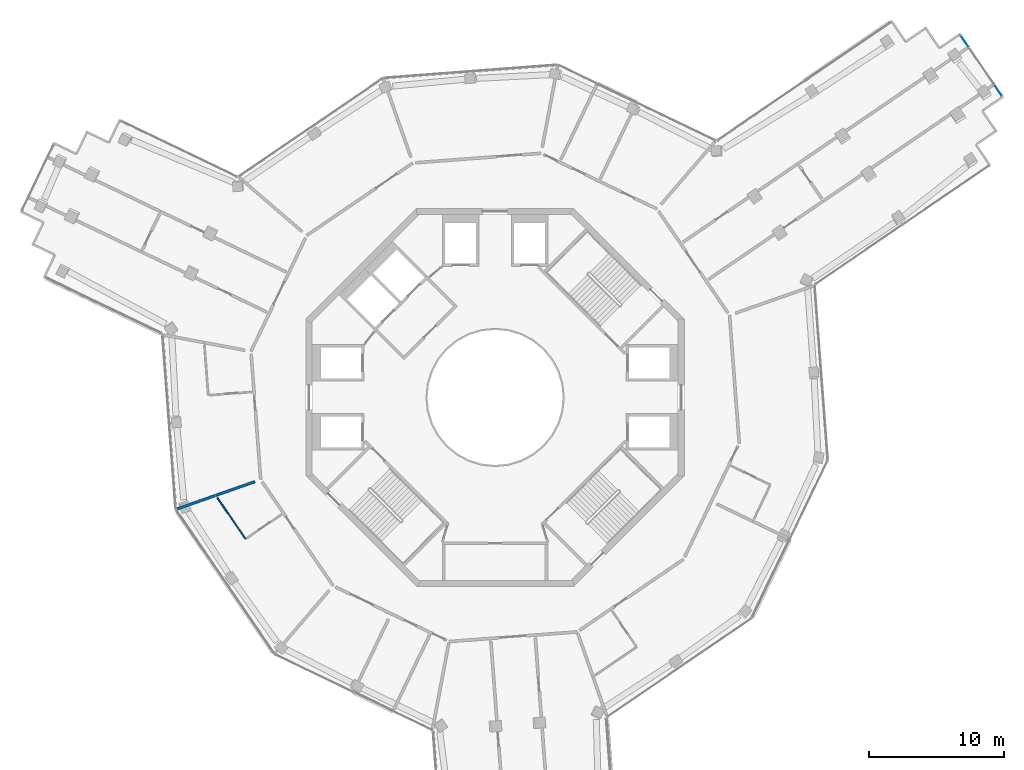
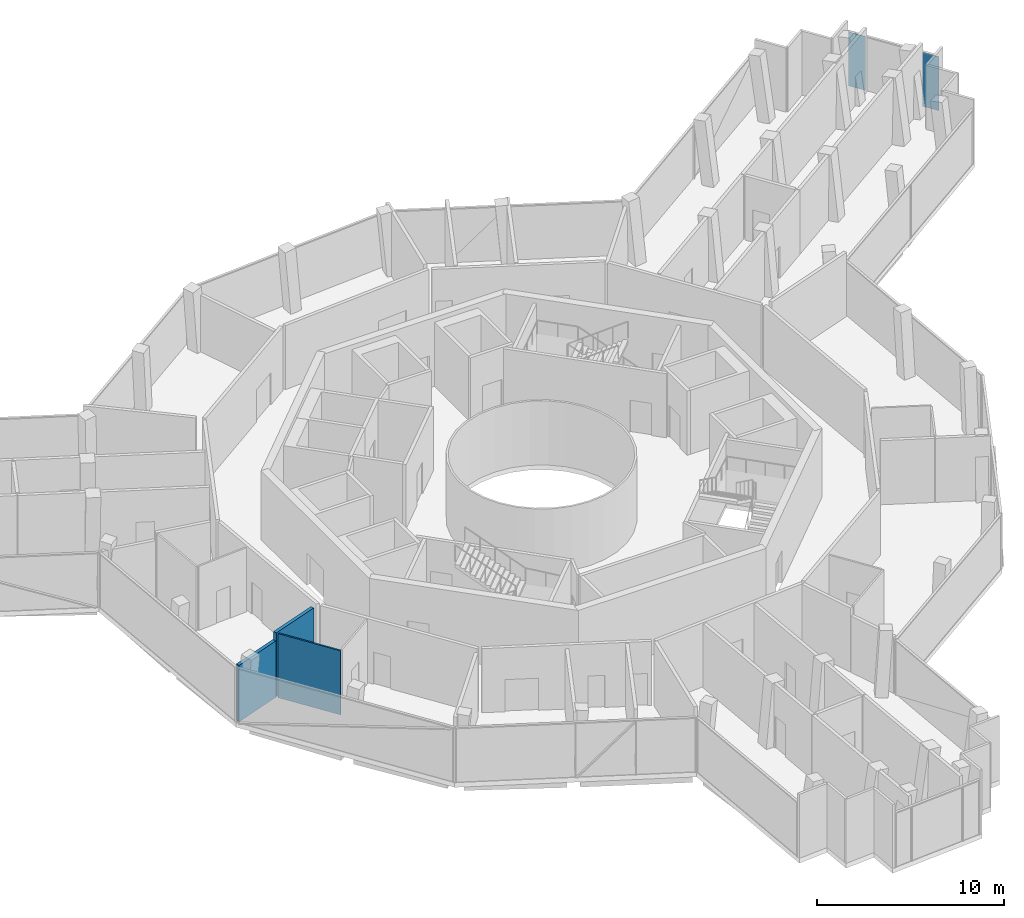
# One storey, part 12 of 19: 3 walls, 2 plates, 1 element without a shape of its own.
"""IFC4 building model written with IfcOpenShell, lengths in metres."""

from ifc_helpers import new_model, si_unit, direction, frame, frame_2d, origin, origin_2d, place, context, subcontext, project, spatial, rectangle, extrude, material, layer, layer_set, type_object, element, aggregate, save


model = new_model("IFC4")

# Units and contexts
model_context = context("Model", 3, precision=1e-05, world=origin(), true_north=direction((0.0, 1.0)))
body_context = subcontext(model_context, "Body", "Model", "MODEL_VIEW")
ifc_project = project(units=[si_unit("LENGTHUNIT", "METRE"), si_unit("AREAUNIT", "SQUARE_METRE"), si_unit("VOLUMEUNIT", "CUBIC_METRE"), si_unit("PLANEANGLEUNIT", "RADIAN"), si_unit("MASSUNIT", "GRAM", prefix="KILO")], contexts=[model_context])

# Site, building, storey
site_placement = place(None, origin())
site = spatial("IfcSite", under=ifc_project, at=site_placement, CompositionType="ELEMENT")
building_placement = place(site_placement, origin())
building = spatial("IfcBuilding", under=site, at=building_placement, Name="Verdalira Terraces Hotel", CompositionType="ELEMENT")
storey_placement = place(building_placement, frame((0.0, 0.0, 295.0)))
storey = spatial("IfcBuildingStorey", under=building, at=storey_placement, Name="L73", CompositionType="ELEMENT", Elevation=295.0)

# Curtain wall, plates
ifc_material_1 = material(Name="Clear glass", Category="glass")
ifc_layer_1 = layer(ifc_material_1, 0.179931640625)
ifc_layer_set_1 = layer_set([ifc_layer_1], Name="CW4 curtain wall")
curtain_wall_type = type_object("IfcCurtainWallType", Name="CW4 curtain wall", PredefinedType="NOTDEFINED", material=ifc_layer_set_1)
curtain_wall_placement = place(storey_placement, origin())
curtain_wall = element("IfcCurtainWall", 1, at=curtain_wall_placement, inside=storey, type_object=curtain_wall_type, Name="CW4 curtain wall L73 edge 33", PredefinedType="NOTDEFINED")
ifc_material_2 = material(Name="Clear glass", Category="glass")
ifc_layer_2 = layer(ifc_material_2, 0.035888671875)
ifc_layer_set_2 = layer_set([ifc_layer_2], Name="CW4 glass unit 36")
plate_type = type_object("IfcPlateType", Name="CW4 glass unit 36", PredefinedType="CURTAIN_PANEL", material=ifc_layer_set_2)
plate_1_placement = place(storey_placement, frame((37.216309, 22.738525, 0.0), z_axis=(0.0, 0.0, 1.0), x_axis=(-0.563814377, 0.825901536, 0.0)))
plate_1 = element("IfcPlate", 2, at=plate_1_placement, type_object=plate_type, Name="CW4 glass unit", PredefinedType="CURTAIN_PANEL", context=body_context, shape_type="SweptSolid", body=[
    extrude(rectangle(XDim=0.963135, YDim=0.035889, at=origin_2d()), origin(), (0.0, 0.0, 1.0), 3.52002),
])
plate_2_placement = place(storey_placement, frame((34.742432, 26.362305, 0.0), z_axis=(0.0, 0.0, 1.0), x_axis=(-0.563814377, 0.825901536, 0.0)))
plate_2 = element("IfcPlate", 3, at=plate_2_placement, type_object=plate_type, Name="CW4 glass unit", PredefinedType="CURTAIN_PANEL", context=body_context, shape_type="SweptSolid", body=[
    extrude(rectangle(XDim=1.001221, YDim=0.035889, at=origin_2d()), origin(), (0.0, 0.0, 1.0), 3.52002),
])
aggregate(curtain_wall, [plate_1, plate_2])

# Walls
ifc_material_3 = material(Name="Moisture-resistant gypsum board partition")
ifc_layer_3 = layer(ifc_material_3, 0.10009765625)
ifc_layer_set_3 = layer_set([ifc_layer_3], Name="Bathroom partition 100 mm")
wall_type_1 = type_object("IfcWallType", Name="Bathroom partition 100 mm", PredefinedType="PARTITIONING", material=ifc_layer_set_3)
wall_1_placement = place(storey_placement, frame((-18.466064, -10.477295, 0.0), z_axis=(0.0, 0.0, 1.0), x_axis=(-0.563792809, 0.82591626, 0.0)))
element("IfcWall", 4, at=wall_1_placement, inside=storey, type_object=wall_type_1, Name="Bathroom partition", PredefinedType="PARTITIONING", context=body_context, shape_type="SweptSolid", body=[
    extrude(rectangle(XDim=3.704102, YDim=0.100098, at=frame_2d((1.852051, 0.0))), origin(), (0.0, 0.0, 1.0), 4.189941),
])
ifc_material_4 = material(Name="Fire-rated gypsum board wall")
ifc_layer_4 = layer(ifc_material_4, 0.199951171875)
ifc_layer_set_4 = layer_set([ifc_layer_4], Name="Demising wall 200 mm")
wall_type_2 = type_object("IfcWallType", Name="Demising wall 200 mm", PredefinedType="SOLIDWALL", material=ifc_layer_set_4)
wall_2_placement = place(storey_placement, frame((-17.771484, -6.230469, 0.0), z_axis=(0.0, 0.0, 1.0), x_axis=(-0.943678725, -0.33086321, 0.0)))
element("IfcWall", 5, at=wall_2_placement, inside=storey, type_object=wall_type_2, Name="Demising wall", PredefinedType="SOLIDWALL", context=body_context, shape_type="SweptSolid", body=[
    extrude(rectangle(XDim=3.074707, YDim=0.199951, at=frame_2d((1.537354, 0.0))), origin(), (0.0, 0.0, 1.0), 4.189941),
])
ifc_material_5 = material(Name="Fire-rated gypsum board wall")
ifc_layer_5 = layer(ifc_material_5, 0.199951171875)
ifc_layer_set_5 = layer_set([ifc_layer_5], Name="Demising wall 200 mm to beam soffit")
wall_type_3 = type_object("IfcWallType", Name="Demising wall 200 mm to beam soffit", PredefinedType="SOLIDWALL", material=ifc_layer_set_5)
wall_3_placement = place(storey_placement, frame((-20.716309, -7.262939, 0.0), z_axis=(0.0, 0.0, 1.0), x_axis=(-0.94368127, -0.330855951, 0.0)))
element("IfcWall", 6, at=wall_3_placement, inside=storey, type_object=wall_type_3, Name="Demising wall", PredefinedType="SOLIDWALL", context=body_context, shape_type="SweptSolid", body=[
    extrude(rectangle(XDim=3.011475, YDim=0.199951, at=frame_2d((1.505859, 0.0))), origin(), (0.0, 0.0, 1.0), 3.689941),
])

save(model, "model.ifc")
